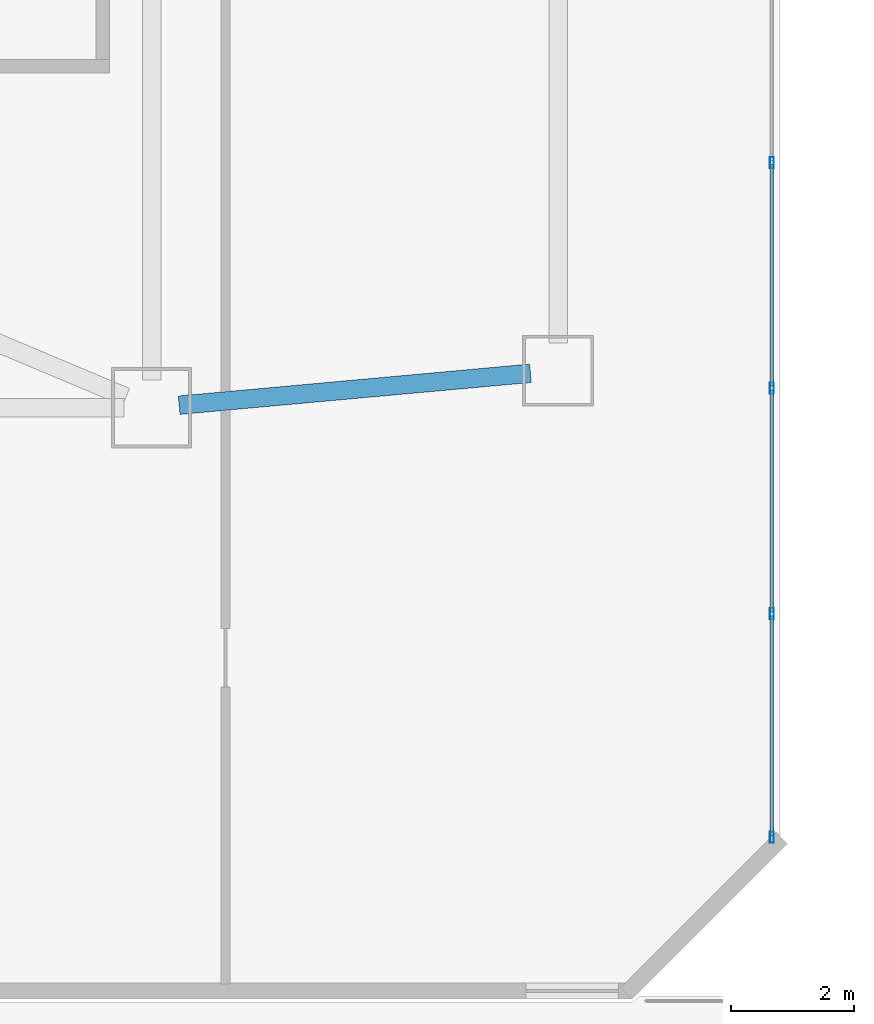
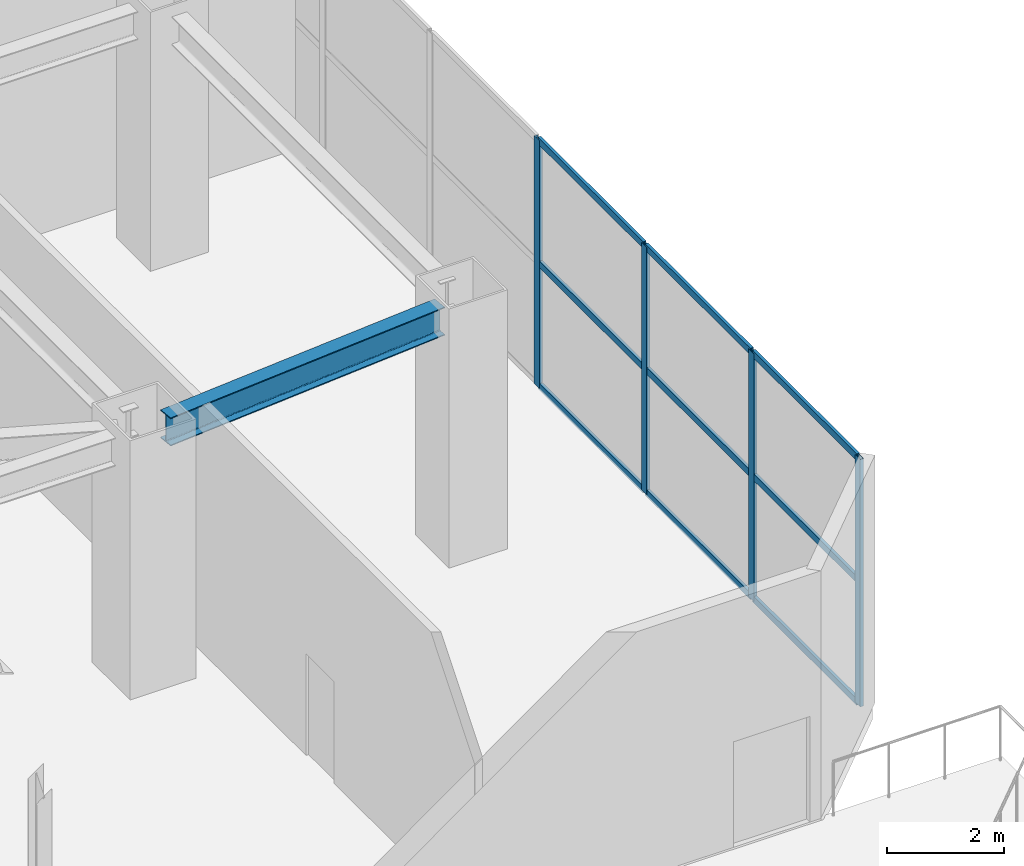
# One storey, part 22 of 37: 13 members, 1 beam, 1 element without a shape of its own.
"""IFC4 building model written with IfcOpenShell, lengths in metres."""

from ifc_helpers import new_model, si_unit, direction, frame, origin, origin_2d, place, context, subcontext, project, spatial, hollow_rectangle, i_section, extrude, material, layer, layer_set, material_profile, profile_set, type_object, element, aggregate, save


model = new_model("IFC4")

# Units and contexts
model_context = context("Model", 3, precision=1e-05, world=origin(), true_north=direction((0.0, 1.0)))
body_context = subcontext(model_context, "Body", "Model", "MODEL_VIEW")
ifc_project = project(units=[si_unit("LENGTHUNIT", "METRE"), si_unit("AREAUNIT", "SQUARE_METRE"), si_unit("VOLUMEUNIT", "CUBIC_METRE"), si_unit("PLANEANGLEUNIT", "RADIAN"), si_unit("MASSUNIT", "GRAM", prefix="KILO")], contexts=[model_context])

# Site, building, storey
site_placement = place(None, origin())
site = spatial("IfcSite", under=ifc_project, at=site_placement, CompositionType="ELEMENT")
building_placement = place(site_placement, origin())
building = spatial("IfcBuilding", under=site, at=building_placement, Name="Haolan Belvedere Tower", CompositionType="ELEMENT")
storey_placement = place(building_placement, frame((0.0, 0.0, 10.199951171875)))
storey = spatial("IfcBuildingStorey", under=building, at=storey_placement, Name="L02", CompositionType="ELEMENT", Elevation=10.199951171875)

# Beam
ifc_material_1 = material(Name="Steel Q355B", Category="steel")
ifc_material_profile_1 = material_profile(ifc_material_1, i_section(OverallWidth=0.300048828125, OverallDepth=0.587890625, WebThickness=0.011962890625, FlangeThickness=0.02001953125, FilletRadius=0.028076171875, at=origin_2d()), Name="Steel Q355B")
ifc_profile_set_1 = profile_set([ifc_material_profile_1], Name="Steel Q355B")
beam_type = type_object("IfcBeamType", Name="BM-HM588x300x12x20", PredefinedType="SPANDREL", material=ifc_profile_set_1)
beam_placement = place(storey_placement, frame((64.648193359375, 16.8408203125, 4.865966796875), z_axis=(0.995892507606, 0.090543433189, 0.0), x_axis=(-0.090543433189, 0.995892507606, 0.0)))
element("IfcBeam", 1, at=beam_placement, inside=storey, type_object=beam_type, Name="L02 spandrel girder MC-T4-SE-MC-T5-SE", PredefinedType="SPANDREL", context=body_context, shape_type="SweptSolid", body=[
    extrude(i_section(OverallWidth=0.300048828125, OverallDepth=0.587890625, WebThickness=0.011962890625, FlangeThickness=0.02001953125, FilletRadius=0.028076171875, at=origin_2d()), origin(), (0.0, 0.0, 1.0), 5.72705078125),
])

# Curtain wall, members
ifc_material_2 = material(Name="Anodised champagne-silver aluminium 6063-T6 and Low-E glass", Category="aluminium")
ifc_layer = layer(ifc_material_2, 0.179931640625, Name="Anodised champagne-silver aluminium 6063-T6 and Low-E glass")
ifc_layer_set = layer_set([ifc_layer], Name="Anodised champagne-silver aluminium 6063-T6 and Low-E glass")
curtain_wall_type = type_object("IfcCurtainWallType", Name="CW-SYS-01", PredefinedType="NOTDEFINED", material=ifc_layer_set)
curtain_wall_placement = place(storey_placement, origin())
curtain_wall = element("IfcCurtainWall", 2, at=curtain_wall_placement, inside=storey, type_object=curtain_wall_type, Name="L02 CW-SYS-01 ribbon curtain wall 2.1", PredefinedType="NOTDEFINED")
ifc_material_3 = material(Name="Anodised aluminium 6063-T6", Category="aluminium")
ifc_material_profile_2 = material_profile(ifc_material_3, hollow_rectangle(XDim=0.06494140625, YDim=0.179931640625, WallThickness=0.00390625, at=origin_2d()), Name="Anodised aluminium 6063-T6")
ifc_profile_set_2 = profile_set([ifc_material_profile_2], Name="Anodised aluminium 6063-T6")
member_type_1 = type_object("IfcMemberType", Name="CW-SYS-01-MUL", PredefinedType="MULLION", material=ifc_profile_set_2)
member_1_placement = place(storey_placement, frame((74.27001953125, 9.826416015625, 0.0), z_axis=(0.0, 0.0, 1.0), x_axis=(-1.0, 0.0, 0.0)))
member_1 = element("IfcMember", 3, at=member_1_placement, type_object=member_type_1, Name="CW-01 mullion 1", PredefinedType="MULLION", context=body_context, shape_type="SweptSolid", body=[
    extrude(hollow_rectangle(XDim=0.06494140625, YDim=0.179931640625, WallThickness=0.00390625, at=origin_2d()), origin(), (0.0, 0.0, 1.0), 5.16015625),
])
member_2_placement = place(storey_placement, frame((74.27001953125, 13.455078125, 0.0), z_axis=(0.0, 0.0, 1.0), x_axis=(-1.0, 0.0, 0.0)))
member_2 = element("IfcMember", 4, at=member_2_placement, type_object=member_type_1, Name="CW-01 mullion 2", PredefinedType="MULLION", context=body_context, shape_type="SweptSolid", body=[
    extrude(hollow_rectangle(XDim=0.06494140625, YDim=0.179931640625, WallThickness=0.00390625, at=origin_2d()), origin(), (0.0, 0.0, 1.0), 5.16015625),
])
member_3_placement = place(storey_placement, frame((74.27001953125, 17.116455078125, 0.0), z_axis=(0.0, 0.0, 1.0), x_axis=(-1.0, 0.0, 0.0)))
member_3 = element("IfcMember", 5, at=member_3_placement, type_object=member_type_1, Name="CW-01 mullion 3", PredefinedType="MULLION", context=body_context, shape_type="SweptSolid", body=[
    extrude(hollow_rectangle(XDim=0.06494140625, YDim=0.179931640625, WallThickness=0.00390625, at=origin_2d()), origin(), (0.0, 0.0, 1.0), 5.16015625),
])
member_4_placement = place(storey_placement, frame((74.27001953125, 20.77783203125, 0.0), z_axis=(0.0, 0.0, 1.0), x_axis=(-1.0, 0.0, 0.0)))
member_4 = element("IfcMember", 6, at=member_4_placement, type_object=member_type_1, Name="CW-01 mullion 4", PredefinedType="MULLION", context=body_context, shape_type="SweptSolid", body=[
    extrude(hollow_rectangle(XDim=0.06494140625, YDim=0.179931640625, WallThickness=0.00390625, at=origin_2d()), origin(), (0.0, 0.0, 1.0), 5.16015625),
])
ifc_material_profile_3 = material_profile(ifc_material_3, hollow_rectangle(XDim=0.06005859375, YDim=0.139892578125, WallThickness=0.00390625, at=origin_2d()), Name="Anodised aluminium 6063-T6")
ifc_profile_set_3 = profile_set([ifc_material_profile_3], Name="Anodised aluminium 6063-T6")
member_type_2 = type_object("IfcMemberType", Name="CW-SYS-01-TRN", PredefinedType="USERDEFINED", material=ifc_profile_set_3)
member_5_placement = place(storey_placement, frame((74.27001953125, 9.85888671875, 0.030029296875), z_axis=(0.0, 1.0, 0.0), x_axis=(-1.0, 0.0, 0.0)))
member_5 = element("IfcMember", 7, at=member_5_placement, type_object=member_type_2, Name="CW-01 transom 1.1", ObjectType="TRANSOM", PredefinedType="USERDEFINED", context=body_context, shape_type="SweptSolid", body=[
    extrude(hollow_rectangle(XDim=0.06005859375, YDim=0.139892578125, WallThickness=0.00390625, at=origin_2d()), origin(), (0.0, 0.0, 1.0), 3.563720703125),
])
member_6_placement = place(storey_placement, frame((74.27001953125, 9.85888671875, 2.580078125), z_axis=(0.0, 1.0, 0.0), x_axis=(-1.0, 0.0, 0.0)))
member_6 = element("IfcMember", 8, at=member_6_placement, type_object=member_type_2, Name="CW-01 transom 1.2", ObjectType="TRANSOM", PredefinedType="USERDEFINED", context=body_context, shape_type="SweptSolid", body=[
    extrude(hollow_rectangle(XDim=0.06005859375, YDim=0.139892578125, WallThickness=0.00390625, at=origin_2d()), origin(), (0.0, 0.0, 1.0), 3.563720703125),
])
member_7_placement = place(storey_placement, frame((74.27001953125, 9.85888671875, 5.130126953125), z_axis=(0.0, 1.0, 0.0), x_axis=(-1.0, 0.0, 0.0)))
member_7 = element("IfcMember", 9, at=member_7_placement, type_object=member_type_2, Name="CW-01 transom 1.3", ObjectType="TRANSOM", PredefinedType="USERDEFINED", context=body_context, shape_type="SweptSolid", body=[
    extrude(hollow_rectangle(XDim=0.06005859375, YDim=0.139892578125, WallThickness=0.00390625, at=origin_2d()), origin(), (0.0, 0.0, 1.0), 3.563720703125),
])
member_8_placement = place(storey_placement, frame((74.27001953125, 13.487548828125, 0.030029296875), z_axis=(0.0, 1.0, 0.0), x_axis=(-1.0, 0.0, 0.0)))
member_8 = element("IfcMember", 10, at=member_8_placement, type_object=member_type_2, Name="CW-01 transom 2.1", ObjectType="TRANSOM", PredefinedType="USERDEFINED", context=body_context, shape_type="SweptSolid", body=[
    extrude(hollow_rectangle(XDim=0.06005859375, YDim=0.139892578125, WallThickness=0.00390625, at=origin_2d()), origin(), (0.0, 0.0, 1.0), 3.596435546875),
])
member_9_placement = place(storey_placement, frame((74.27001953125, 13.487548828125, 2.580078125), z_axis=(0.0, 1.0, 0.0), x_axis=(-1.0, 0.0, 0.0)))
member_9 = element("IfcMember", 11, at=member_9_placement, type_object=member_type_2, Name="CW-01 transom 2.2", ObjectType="TRANSOM", PredefinedType="USERDEFINED", context=body_context, shape_type="SweptSolid", body=[
    extrude(hollow_rectangle(XDim=0.06005859375, YDim=0.139892578125, WallThickness=0.00390625, at=origin_2d()), origin(), (0.0, 0.0, 1.0), 3.596435546875),
])
member_10_placement = place(storey_placement, frame((74.27001953125, 13.487548828125, 5.130126953125), z_axis=(0.0, 1.0, 0.0), x_axis=(-1.0, 0.0, 0.0)))
member_10 = element("IfcMember", 12, at=member_10_placement, type_object=member_type_2, Name="CW-01 transom 2.3", ObjectType="TRANSOM", PredefinedType="USERDEFINED", context=body_context, shape_type="SweptSolid", body=[
    extrude(hollow_rectangle(XDim=0.06005859375, YDim=0.139892578125, WallThickness=0.00390625, at=origin_2d()), origin(), (0.0, 0.0, 1.0), 3.596435546875),
])
member_11_placement = place(storey_placement, frame((74.27001953125, 17.14892578125, 0.030029296875), z_axis=(0.0, 1.0, 0.0), x_axis=(-1.0, 0.0, 0.0)))
member_11 = element("IfcMember", 13, at=member_11_placement, type_object=member_type_2, Name="CW-01 transom 3.1", ObjectType="TRANSOM", PredefinedType="USERDEFINED", context=body_context, shape_type="SweptSolid", body=[
    extrude(hollow_rectangle(XDim=0.06005859375, YDim=0.139892578125, WallThickness=0.00390625, at=origin_2d()), origin(), (0.0, 0.0, 1.0), 3.596435546875),
])
member_12_placement = place(storey_placement, frame((74.27001953125, 17.14892578125, 2.580078125), z_axis=(0.0, 1.0, 0.0), x_axis=(-1.0, 0.0, 0.0)))
member_12 = element("IfcMember", 14, at=member_12_placement, type_object=member_type_2, Name="CW-01 transom 3.2", ObjectType="TRANSOM", PredefinedType="USERDEFINED", context=body_context, shape_type="SweptSolid", body=[
    extrude(hollow_rectangle(XDim=0.06005859375, YDim=0.139892578125, WallThickness=0.00390625, at=origin_2d()), origin(), (0.0, 0.0, 1.0), 3.596435546875),
])
member_13_placement = place(storey_placement, frame((74.27001953125, 17.14892578125, 5.130126953125), z_axis=(0.0, 1.0, 0.0), x_axis=(-1.0, 0.0, 0.0)))
member_13 = element("IfcMember", 15, at=member_13_placement, type_object=member_type_2, Name="CW-01 transom 3.3", ObjectType="TRANSOM", PredefinedType="USERDEFINED", context=body_context, shape_type="SweptSolid", body=[
    extrude(hollow_rectangle(XDim=0.06005859375, YDim=0.139892578125, WallThickness=0.00390625, at=origin_2d()), origin(), (0.0, 0.0, 1.0), 3.596435546875),
])
aggregate(curtain_wall, [member_1, member_2, member_3, member_4, member_5, member_6, member_7, member_8, member_9, member_10, member_11, member_12, member_13])

save(model, "model.ifc")
